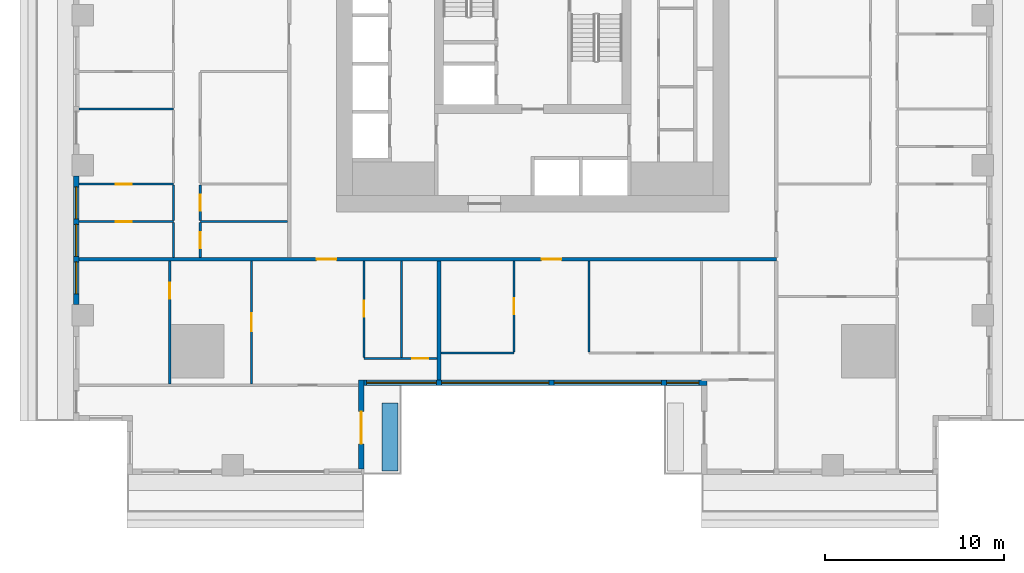
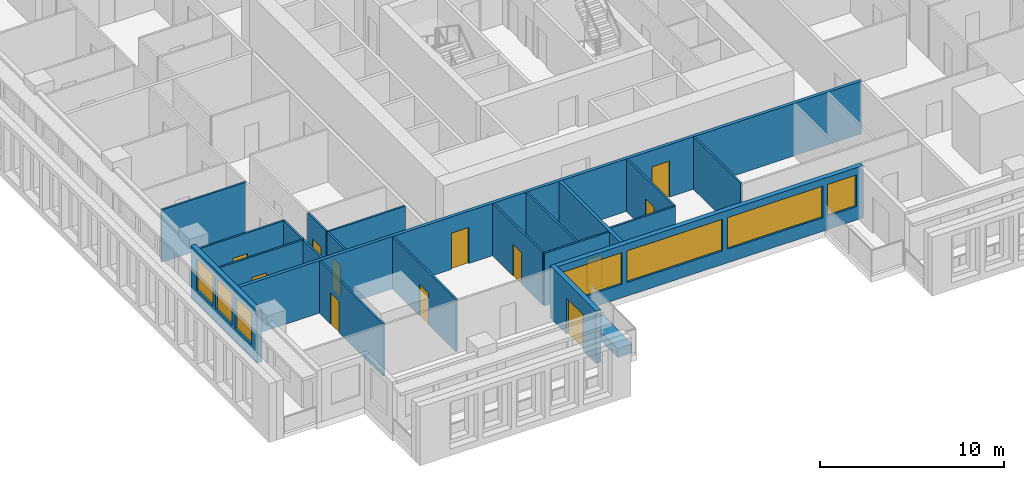
# One storey, part 2 of 15: 22 walls, 12 doors, 7 windows, 19 openings.
"""IFC4 building model written with IfcOpenShell, lengths in metres."""

import ifcopenshell
import ifcopenshell.guid

model = None  # the IFC model being written
_history = None  # IfcOwnerHistory: only IFC2X3 demands one
_inside = {}  # id of a spatial element -> (the spatial element, [elements in it])
_under = {}  # id of a project, library or spatial element -> (it, [spatial elements below it])
_declared = {}  # id of a project -> (the project, [libraries it declares])
_typed = {}  # id of a type object -> (the type object, [elements of that type])
_made_of = {}  # id of a material, layer set ... -> (it, [elements and type objects made of it])


def new_model(schema):
    """Start an empty IFC model of exactly this schema.

    Asked for "IFC4X3", IfcOpenShell would pick the latest addendum, in which some entities
    have other attributes; the version numbers below select the first issue.
    IFC2X3 requires an IfcOwnerHistory on every rooted entity: one is made here for all.
    """
    global model, _history
    if schema == "IFC4X3":
        model = ifcopenshell.file(schema_version=(4, 3, 0, 0))
    else:
        model = ifcopenshell.file(schema=schema)
    _inside.clear()
    _under.clear()
    _declared.clear()
    _typed.clear()
    _made_of.clear()
    _history = None
    if model.schema == "IFC2X3":
        org = make("IfcOrganization", Name="unknown")
        user = make(
            "IfcPersonAndOrganization",
            ThePerson=make("IfcPerson", FamilyName="unknown"),
            TheOrganization=org,
        )
        app = make(
            "IfcApplication",
            ApplicationDeveloper=org,
            Version="unknown",
            ApplicationFullName="unknown",
            ApplicationIdentifier="unknown",
        )
        _history = make(
            "IfcOwnerHistory",
            OwningUser=user,
            OwningApplication=app,
            ChangeAction="ADDED",
            CreationDate=0,
        )
    return model


def make(cls, **values):
    """One entity of the class cls with the attributes given. An attribute that is None is left unset."""
    return model.create_entity(
        cls, **{name: value for name, value in values.items() if value is not None}
    )


def rooted(cls, **values):
    """An entity with a GlobalId (a new one), such as an element, a storey or a relation."""
    return make(cls, GlobalId=ifcopenshell.guid.new(), OwnerHistory=_history, **values)


def si_unit(unit_type, name, prefix=None):
    """IfcSIUnit, for example si_unit("LENGTHUNIT", "METRE", prefix="MILLI")."""
    return make("IfcSIUnit", UnitType=unit_type, Prefix=prefix, Name=name)


def assignment(units):
    """IfcUnitAssignment: the units of a project."""
    return None if units is None else make("IfcUnitAssignment", Units=units)


def point(xyz):
    """IfcCartesianPoint."""
    return None if xyz is None else make("IfcCartesianPoint", Coordinates=xyz)


def direction(xyz):
    """IfcDirection."""
    return None if xyz is None else make("IfcDirection", DirectionRatios=xyz)


def frame(location, z_axis=None, x_axis=None):
    """IfcAxis2Placement3D, a coordinate frame: its origin and axes. An axis left out is left unset."""
    return make(
        "IfcAxis2Placement3D",
        Location=point(location),
        Axis=direction(z_axis),
        RefDirection=direction(x_axis),
    )


def frame_2d(location, x_axis=None):
    """IfcAxis2Placement2D, a coordinate frame in the plane: its origin and x axis."""
    return make(
        "IfcAxis2Placement2D", Location=point(location), RefDirection=direction(x_axis)
    )


def origin():
    """The frame at (0, 0, 0) with its axes left unset."""
    return frame((0.0, 0.0, 0.0))


def place(relative_to, where):
    """IfcLocalPlacement: puts the frame where relative to a parent placement (None: the world)."""
    return make(
        "IfcLocalPlacement", PlacementRelTo=relative_to, RelativePlacement=where
    )


def context(
    kind, dimensions, precision=None, world=None, true_north=None, identifier=None
):
    """IfcGeometricRepresentationContext, for example the 3D "Model" context."""
    return make(
        "IfcGeometricRepresentationContext",
        ContextIdentifier=identifier,
        ContextType=kind,
        CoordinateSpaceDimension=dimensions,
        Precision=precision,
        WorldCoordinateSystem=world,
        TrueNorth=true_north,
    )


def subcontext(parent, identifier, kind, view, scale=None):
    """IfcGeometricRepresentationSubContext, for example "Body" below "Model"."""
    return make(
        "IfcGeometricRepresentationSubContext",
        ContextIdentifier=identifier,
        ContextType=kind,
        ParentContext=parent,
        TargetScale=scale,
        TargetView=view,
    )


def project(units=None, contexts=None):
    """IfcProject with its units and contexts."""
    return rooted(
        "IfcProject",
        Name="project",
        RepresentationContexts=contexts,
        UnitsInContext=assignment(units),
    )


def spatial(cls, under=None, at=None, **own):
    """A site, building, storey or space (cls), placed at a placement, below another one or the project."""
    s = rooted(cls, ObjectPlacement=at, **own)
    if under is not None:
        _under.setdefault(under.id(), (under, []))[1].append(s)
    return s


def profile(cls, at=None, kind="AREA", **sizes):
    """A parametric profile (cls). Its sizes go by their IFC names, for example OverallWidth=200.0."""
    return make(cls, ProfileType=kind, Position=at, **sizes)


def rectangle(**sizes):
    """IfcRectangleProfileDef."""
    return profile("IfcRectangleProfileDef", **sizes)


def extrude(swept, where, along, depth):
    """IfcExtrudedAreaSolid: the profile swept, set in the frame where, extruded along a direction by depth."""
    return make(
        "IfcExtrudedAreaSolid",
        SweptArea=swept,
        Position=where,
        ExtrudedDirection=direction(along),
        Depth=depth,
    )


def shape(context_of_items, identifier, shape_type, items):
    """IfcShapeRepresentation: the items that make up one representation, for example the "Body"."""
    return make(
        "IfcShapeRepresentation",
        ContextOfItems=context_of_items,
        RepresentationIdentifier=identifier,
        RepresentationType=shape_type,
        Items=items,
    )


def material(Name=None, Category=None):
    """IfcMaterial."""
    return make("IfcMaterial", Name=Name, Category=Category)


def layer(
    of_material, thickness, ventilated=None, Name=None, Category=None, Priority=None
):
    """IfcMaterialLayer: one layer of a wall or slab, of a material (None: an air gap)."""
    return make(
        "IfcMaterialLayer",
        Material=of_material,
        LayerThickness=thickness,
        IsVentilated=ventilated,
        Name=Name,
        Category=Category,
        Priority=Priority,
    )


def layer_set(layers, Name=None):
    """IfcMaterialLayerSet."""
    return make("IfcMaterialLayerSet", MaterialLayers=layers, LayerSetName=Name)


def made_of(thing, what):
    """Note that an element or type object is made of a material, layer set ...; save() writes the relation."""
    if what is not None:
        _made_of.setdefault(what.id(), (what, []))[1].append(thing)
    return thing


def type_object(cls, material=None, **own):
    """A type object (cls), such as IfcWallType, which elements share."""
    return made_of(rooted(cls, **own), material)


def element(
    cls,
    number,
    at=None,
    inside=None,
    cuts=None,
    type_object=None,
    material=None,
    context=None,
    identifier="Body",
    shape_type=None,
    held_by="IfcProductDefinitionShape",
    body=None,
    shapes=None,
    **own,
):
    """One element of the class cls, such as IfcWall. Its Tag is "e" and its number.

    at: its placement. inside: the storey or other place that contains it. cuts: it is an
    opening in that element (IfcRelVoidsElement). A single representation is given by context,
    identifier, shape_type and body (its items); several are given by shapes. held_by: the class
    of the entity that holds the representations. save() writes the other relations.
    """
    e = rooted(cls, Tag="e%d" % number, ObjectPlacement=at, **own)
    if body is not None:
        shapes = [shape(context, identifier, shape_type, body)]
    if shapes is not None:
        e.Representation = make(held_by, Representations=shapes)
    if inside is not None:
        _inside.setdefault(inside.id(), (inside, []))[1].append(e)
    if cuts is not None:
        rooted(
            "IfcRelVoidsElement", RelatingBuildingElement=cuts, RelatedOpeningElement=e
        )
    if type_object is not None:
        _typed.setdefault(type_object.id(), (type_object, []))[1].append(e)
    return made_of(e, material)


def fill(opening, filler):
    """IfcRelFillsElement: the door or window that sits in an opening."""
    return rooted(
        "IfcRelFillsElement",
        RelatingOpeningElement=opening,
        RelatedBuildingElement=filler,
    )


def aggregate(whole, parts):
    """IfcRelAggregates: a whole, such as a stair, and the parts it consists of."""
    return rooted("IfcRelAggregates", RelatingObject=whole, RelatedObjects=parts)


def save(model, path):
    """Write the relations noted so far, then the file.

    IfcRelAggregates (storeys below a building ...), IfcRelContainedInSpatialStructure (elements
    in a storey), IfcRelDefinesByType, IfcRelAssociatesMaterial and IfcRelDeclares: one each for
    every whole, place, type object, material and project.
    """
    for whole, parts in _under.values():
        aggregate(whole, parts)
    for where, things in _inside.values():
        rooted(
            "IfcRelContainedInSpatialStructure",
            RelatedElements=things,
            RelatingStructure=where,
        )
    for kind, things in _typed.values():
        rooted("IfcRelDefinesByType", RelatedObjects=things, RelatingType=kind)
    for what, things in _made_of.values():
        rooted("IfcRelAssociatesMaterial", RelatedObjects=things, RelatingMaterial=what)
    for by, libraries in _declared.values():
        rooted("IfcRelDeclares", RelatingContext=by, RelatedDefinitions=libraries)
    model.write(path)


model = new_model("IFC4")

# Units and contexts
model_context = context("Model", 3, precision=1e-05, world=origin(), true_north=direction((0.0, 1.0)))
body_context = subcontext(model_context, "Body", "Model", "MODEL_VIEW")
ifc_project = project(units=[si_unit("LENGTHUNIT", "METRE"), si_unit("AREAUNIT", "SQUARE_METRE"), si_unit("VOLUMEUNIT", "CUBIC_METRE"), si_unit("PLANEANGLEUNIT", "RADIAN"), si_unit("MASSUNIT", "GRAM", prefix="KILO")], contexts=[model_context])

# Site, building, storey
site_placement = place(None, origin())
site = spatial("IfcSite", under=ifc_project, at=site_placement, CompositionType="ELEMENT")
building_placement = place(site_placement, origin())
building = spatial("IfcBuilding", under=site, at=building_placement, Name="Khepri Terraces", CompositionType="ELEMENT")
storey_placement = place(building_placement, frame((0.0, 0.0, 50.39990234375)))
storey = spatial("IfcBuildingStorey", under=building, at=storey_placement, Name="L11", CompositionType="ELEMENT", Elevation=50.39990234375)

# Wall
ifc_material_1 = material(Name="Fire-rated gypsum plasterboard partition, mineral wool")
ifc_layer_1 = layer(ifc_material_1, 0.199951171875, Name="Fire-rated gypsum plasterboard partition, mineral wool")
ifc_layer_set_1 = layer_set([ifc_layer_1], Name="Fire-rated gypsum plasterboard partition, mineral wool")
wall_type_1 = type_object("IfcWallType", Name="WL-CORR-200", PredefinedType="PARTITIONING", material=ifc_layer_set_1)
wall_1_placement = place(storey_placement, frame((-5.25, -20.419921875, 0.0), z_axis=(0.0, 0.0, 1.0), x_axis=(0.0, 1.0, 0.0)))
element("IfcWall", 1, at=wall_1_placement, inside=storey, type_object=wall_type_1, Name="Partition P-004 L11", PredefinedType="PARTITIONING", context=body_context, shape_type="SweptSolid", body=[
    extrude(rectangle(XDim=6.669921875, YDim=0.199951171875, at=frame_2d((3.3349609375, 0.0))), origin(), (0.0, 0.0, 1.0), 3.47998046875),
])

# Wall, openings, doors
wall_2_placement = place(storey_placement, frame((-25.419921875, -13.64990234375, 0.0), z_axis=(0.0, 0.0, 1.0), x_axis=(1.0, 0.0, 0.0)))
wall_2 = element("IfcWall", 2, at=wall_2_placement, inside=storey, type_object=wall_type_1, Name="Partition P-020 L11", PredefinedType="PARTITIONING", context=body_context, shape_type="SweptSolid", body=[
    extrude(rectangle(XDim=39.06982421875, YDim=0.199951171875, at=frame_2d((19.534912109375, 0.0))), origin(), (0.0, 0.0, 1.0), 3.47998046875),
])
opening_1_placement = place(wall_2_placement, frame((13.320068359375, 0.0, 0.0)))
opening_1 = element("IfcOpeningElement", 3, at=opening_1_placement, cuts=wall_2, Name="Opening D1", PredefinedType="OPENING", context=body_context, shape_type="SweptSolid", body=[
    extrude(rectangle(XDim=1.10009765625, YDim=2.39990234375, at=frame_2d((0.550048828125, 1.199951171875))), frame((0.0, 0.10986328125, 0.0), z_axis=(0.0, -1.0, 0.0), x_axis=(1.0, 0.0, 0.0)), (0.0, 0.0, 1.0), 0.219970703125),
])
opening_2_placement = place(wall_2_placement, frame((25.919921875, 0.0, 0.0)))
opening_2 = element("IfcOpeningElement", 4, at=opening_2_placement, cuts=wall_2, Name="Opening D1", PredefinedType="OPENING", context=body_context, shape_type="SweptSolid", body=[
    extrude(rectangle(XDim=1.10009765625, YDim=2.39990234375, at=frame_2d((0.550048828125, 1.199951171875))), frame((0.0, 0.10986328125, 0.0), z_axis=(0.0, -1.0, 0.0), x_axis=(1.0, 0.0, 0.0)), (0.0, 0.0, 1.0), 0.219970703125),
])
ifc_material_2 = material(Name="Solid-core timber door leaf, flat entrance door", Category="wood")
door_type_1 = type_object("IfcDoorType", Name="DR-ENT-1100", OperationType="NOTDEFINED", PredefinedType="DOOR", material=ifc_material_2)
door_1_placement = place(opening_1_placement, frame((1.10009765625, 0.0, 0.0), z_axis=(0.0, 0.0, 1.0), x_axis=(-1.0, 0.0, 0.0)))
door_1 = element("IfcDoor", 5, at=door_1_placement, inside=storey, type_object=door_type_1, Name="Flat A1 entrance door", OperationType="SINGLE_SWING_RIGHT", OverallHeight=2.39990234375, OverallWidth=1.10009765625, PredefinedType="DOOR", context=body_context, shape_type="SweptSolid", body=[
    extrude(rectangle(XDim=1.10009765625, YDim=2.39990234375, at=frame_2d((0.550048828125, 1.199951171875))), frame((0.0, 0.02490234375, 0.0), z_axis=(0.0, -1.0, 0.0), x_axis=(1.0, 0.0, 0.0)), (0.0, 0.0, 1.0), 0.050048828125),
])
fill(opening_1, door_1)
door_2_placement = place(opening_2_placement, frame((1.10009765625, 0.0, 0.0), z_axis=(0.0, 0.0, 1.0), x_axis=(-1.0, 0.0, 0.0)))
door_2 = element("IfcDoor", 6, at=door_2_placement, inside=storey, type_object=door_type_1, Name="Flat A2 entrance door", OperationType="SINGLE_SWING_LEFT", OverallHeight=2.39990234375, OverallWidth=1.10009765625, PredefinedType="DOOR", context=body_context, shape_type="SweptSolid", body=[
    extrude(rectangle(XDim=1.10009765625, YDim=2.39990234375, at=frame_2d((0.550048828125, 1.199951171875))), frame((0.0, 0.02490234375, 0.0), z_axis=(0.0, -1.0, 0.0), x_axis=(1.0, 0.0, 0.0)), (0.0, 0.0, 1.0), 0.050048828125),
])
fill(opening_2, door_2)

# Wall, openings, windows
ifc_material_3 = material(Name="Precast concrete C50/60 warm stone", Category="masonry")
ifc_layer_2 = layer(ifc_material_3, 0.300048828125, Name="Precast concrete C50/60 warm stone", Category="masonry")
ifc_layer_set_2 = layer_set([ifc_layer_2], Name="Precast concrete C50/60 warm stone")
wall_type_2 = type_object("IfcWallType", Name="WL-EXT-PRECAST-300", PredefinedType="STANDARD", material=ifc_layer_set_2)
wall_3_placement = place(storey_placement, frame((-25.570068359375, -9.0, 0.0), z_axis=(0.0, 0.0, 1.0), x_axis=(0.0, -1.0, 0.0)))
wall_3 = element("IfcWall", 7, at=wall_3_placement, inside=storey, type_object=wall_type_2, Name="External wall L11 W", PredefinedType="STANDARD", context=body_context, shape_type="SweptSolid", body=[
    extrude(rectangle(XDim=7.199951171875, YDim=0.300048828125, at=frame_2d((3.60009765625, 0.0))), origin(), (0.0, 0.0, 1.0), 3.47998046875),
])
opening_3_placement = place(wall_3_placement, frame((0.60009765625, 0.0, 0.89990234375)))
opening_3 = element("IfcOpeningElement", 8, at=opening_3_placement, cuts=wall_3, Name="Opening W1", PredefinedType="OPENING", context=body_context, shape_type="SweptSolid", body=[
    extrude(rectangle(XDim=1.800048828125, YDim=2.10009765625, at=frame_2d((0.89990234375, 1.050048828125))), frame((0.0, 0.16015625, 0.0), z_axis=(0.0, -1.0, 0.0), x_axis=(1.0, 0.0, 0.0)), (0.0, 0.0, 1.0), 0.320068359375),
])
opening_4_placement = place(wall_3_placement, frame((2.699951171875, 0.0, 0.89990234375)))
opening_4 = element("IfcOpeningElement", 9, at=opening_4_placement, cuts=wall_3, Name="Opening W1", PredefinedType="OPENING", context=body_context, shape_type="SweptSolid", body=[
    extrude(rectangle(XDim=1.800048828125, YDim=2.10009765625, at=frame_2d((0.89990234375, 1.050048828125))), frame((0.0, 0.16015625, 0.0), z_axis=(0.0, -1.0, 0.0), x_axis=(1.0, 0.0, 0.0)), (0.0, 0.0, 1.0), 0.320068359375),
])
opening_5_placement = place(wall_3_placement, frame((4.800048828125, 0.0, 0.89990234375)))
opening_5 = element("IfcOpeningElement", 10, at=opening_5_placement, cuts=wall_3, Name="Opening W1", PredefinedType="OPENING", context=body_context, shape_type="SweptSolid", body=[
    extrude(rectangle(XDim=1.800048828125, YDim=2.10009765625, at=frame_2d((0.89990234375, 1.050048828125))), frame((0.0, 0.16015625, 0.0), z_axis=(0.0, -1.0, 0.0), x_axis=(1.0, 0.0, 0.0)), (0.0, 0.0, 1.0), 0.320068359375),
])
ifc_material_4 = material(Name="Clear glass", Category="glass")
window_type_1 = type_object("IfcWindowType", Name="WIN-RES-1800x2100", PartitioningType="SINGLE_PANEL", PredefinedType="WINDOW", material=ifc_material_4)
window_1_placement = place(opening_3_placement, origin())
window_1 = element("IfcWindow", 11, at=window_1_placement, inside=storey, type_object=window_type_1, Name="Window L11 W", OverallHeight=2.10009765625, OverallWidth=1.800048828125, PartitioningType="SINGLE_PANEL", PredefinedType="WINDOW", context=body_context, shape_type="SweptSolid", body=[
    extrude(rectangle(XDim=1.800048828125, YDim=2.10009765625, at=frame_2d((0.89990234375, 1.050048828125))), frame((0.0, 0.030029296875, 0.0), z_axis=(0.0, -1.0, 0.0), x_axis=(1.0, 0.0, 0.0)), (0.0, 0.0, 1.0), 0.06005859375),
])
fill(opening_3, window_1)
window_2_placement = place(opening_4_placement, origin())
window_2 = element("IfcWindow", 12, at=window_2_placement, inside=storey, type_object=window_type_1, Name="Window L11 W", OverallHeight=2.10009765625, OverallWidth=1.800048828125, PartitioningType="SINGLE_PANEL", PredefinedType="WINDOW", context=body_context, shape_type="SweptSolid", body=[
    extrude(rectangle(XDim=1.800048828125, YDim=2.10009765625, at=frame_2d((0.89990234375, 1.050048828125))), frame((0.0, 0.030029296875, 0.0), z_axis=(0.0, -1.0, 0.0), x_axis=(1.0, 0.0, 0.0)), (0.0, 0.0, 1.0), 0.06005859375),
])
fill(opening_4, window_2)
window_3_placement = place(opening_5_placement, origin())
window_3 = element("IfcWindow", 13, at=window_3_placement, inside=storey, type_object=window_type_1, Name="Window L11 W", OverallHeight=2.10009765625, OverallWidth=1.800048828125, PartitioningType="SINGLE_PANEL", PredefinedType="WINDOW", context=body_context, shape_type="SweptSolid", body=[
    extrude(rectangle(XDim=1.800048828125, YDim=2.10009765625, at=frame_2d((0.89990234375, 1.050048828125))), frame((0.0, 0.030029296875, 0.0), z_axis=(0.0, -1.0, 0.0), x_axis=(1.0, 0.0, 0.0)), (0.0, 0.0, 1.0), 0.06005859375),
])
fill(opening_5, window_3)

# Wall, opening, door
wall_4_placement = place(storey_placement, frame((-9.60009765625, -25.419921875, 0.0), z_axis=(0.0, 0.0, 1.0), x_axis=(0.0, 1.0, 0.0)))
wall_4 = element("IfcWall", 14, at=wall_4_placement, inside=storey, type_object=wall_type_2, Name="External wall L11 E", PredefinedType="STANDARD", context=body_context, shape_type="SweptSolid", body=[
    extrude(rectangle(XDim=5.0, YDim=0.300048828125, at=frame_2d((2.5, 0.0))), origin(), (0.0, 0.0, 1.0), 3.47998046875),
])
opening_6_placement = place(wall_4_placement, frame((1.419921875, 0.0, 0.0)))
opening_6 = element("IfcOpeningElement", 15, at=opening_6_placement, cuts=wall_4, Name="Opening ED-L11-19", PredefinedType="OPENING", context=body_context, shape_type="SweptSolid", body=[
    extrude(rectangle(XDim=1.800048828125, YDim=2.39990234375, at=frame_2d((0.89990234375, 1.199951171875))), frame((0.0, 0.16015625, 0.0), z_axis=(0.0, -1.0, 0.0), x_axis=(1.0, 0.0, 0.0)), (0.0, 0.0, 1.0), 0.320068359375),
])
ifc_material_5 = material(Name="Anodised aluminium bronze glazed door", Category="aluminium")
door_type_2 = type_object("IfcDoorType", Name="DR-BAL-SLIDE-1800x2400", OperationType="NOTDEFINED", PredefinedType="DOOR", material=ifc_material_5)
door_3_placement = place(opening_6_placement, origin())
door_3 = element("IfcDoor", 16, at=door_3_placement, inside=storey, type_object=door_type_2, Name="Balcony door L11 E", OperationType="SLIDING_TO_LEFT", OverallHeight=2.39990234375, OverallWidth=1.800048828125, PredefinedType="DOOR", context=body_context, shape_type="SweptSolid", body=[
    extrude(rectangle(XDim=1.800048828125, YDim=2.39990234375, at=frame_2d((0.89990234375, 1.199951171875))), frame((0.0, 0.02490234375, 0.0), z_axis=(0.0, -1.0, 0.0), x_axis=(1.0, 0.0, 0.0)), (0.0, 0.0, 1.0), 0.050048828125),
])
fill(opening_6, door_3)

# Wall, openings, windows
wall_5_placement = place(storey_placement, frame((-9.449951171875, -20.570068359375, 0.0), z_axis=(0.0, 0.0, 1.0), x_axis=(1.0, 0.0, 0.0)))
wall_5 = element("IfcWall", 17, at=wall_5_placement, inside=storey, type_object=wall_type_2, Name="External wall L11 S", PredefinedType="STANDARD", context=body_context, shape_type="SweptSolid", body=[
    extrude(rectangle(XDim=19.199951171875, YDim=0.300048828125, at=frame_2d((9.60009765625, 0.0))), origin(), (0.0, 0.0, 1.0), 3.47998046875),
])
opening_7_placement = place(wall_5_placement, frame((0.14990234375, 0.0, 0.89990234375)))
opening_7 = element("IfcOpeningElement", 18, at=opening_7_placement, cuts=wall_5, Name="Opening W2", PredefinedType="OPENING", context=body_context, shape_type="SweptSolid", body=[
    extrude(rectangle(XDim=3.89990234375, YDim=2.10009765625, at=frame_2d((1.949951171875, 1.050048828125))), frame((0.0, 0.16015625, 0.0), z_axis=(0.0, -1.0, 0.0), x_axis=(1.0, 0.0, 0.0)), (0.0, 0.0, 1.0), 0.320068359375),
])
opening_8_placement = place(wall_5_placement, frame((4.35009765625, 0.0, 0.89990234375)))
opening_8 = element("IfcOpeningElement", 19, at=opening_8_placement, cuts=wall_5, Name="Opening W3", PredefinedType="OPENING", context=body_context, shape_type="SweptSolid", body=[
    extrude(rectangle(XDim=6.0, YDim=2.10009765625, at=frame_2d((3.0, 1.050048828125))), frame((0.0, 0.16015625, 0.0), z_axis=(0.0, -1.0, 0.0), x_axis=(1.0, 0.0, 0.0)), (0.0, 0.0, 1.0), 0.320068359375),
])
opening_9_placement = place(wall_5_placement, frame((10.64990234375, 0.0, 0.89990234375)))
opening_9 = element("IfcOpeningElement", 20, at=opening_9_placement, cuts=wall_5, Name="Opening W3", PredefinedType="OPENING", context=body_context, shape_type="SweptSolid", body=[
    extrude(rectangle(XDim=6.0, YDim=2.10009765625, at=frame_2d((3.0, 1.050048828125))), frame((0.0, 0.16015625, 0.0), z_axis=(0.0, -1.0, 0.0), x_axis=(1.0, 0.0, 0.0)), (0.0, 0.0, 1.0), 0.320068359375),
])
opening_10_placement = place(wall_5_placement, frame((16.949951171875, 0.0, 0.89990234375)))
opening_10 = element("IfcOpeningElement", 21, at=opening_10_placement, cuts=wall_5, Name="Opening W1", PredefinedType="OPENING", context=body_context, shape_type="SweptSolid", body=[
    extrude(rectangle(XDim=1.800048828125, YDim=2.10009765625, at=frame_2d((0.89990234375, 1.050048828125))), frame((0.0, 0.16015625, 0.0), z_axis=(0.0, -1.0, 0.0), x_axis=(1.0, 0.0, 0.0)), (0.0, 0.0, 1.0), 0.320068359375),
])
window_4_placement = place(opening_10_placement, origin())
window_4 = element("IfcWindow", 22, at=window_4_placement, inside=storey, type_object=window_type_1, Name="Window L11 S", OverallHeight=2.10009765625, OverallWidth=1.800048828125, PartitioningType="SINGLE_PANEL", PredefinedType="WINDOW", context=body_context, shape_type="SweptSolid", body=[
    extrude(rectangle(XDim=1.800048828125, YDim=2.10009765625, at=frame_2d((0.89990234375, 1.050048828125))), frame((0.0, 0.030029296875, 0.0), z_axis=(0.0, -1.0, 0.0), x_axis=(1.0, 0.0, 0.0)), (0.0, 0.0, 1.0), 0.06005859375),
])
fill(opening_10, window_4)
window_type_2 = type_object("IfcWindowType", Name="WIN-RES-3900x2100", PartitioningType="SINGLE_PANEL", PredefinedType="WINDOW", material=ifc_material_4)
window_5_placement = place(opening_7_placement, origin())
window_5 = element("IfcWindow", 23, at=window_5_placement, inside=storey, type_object=window_type_2, Name="Window L11 S", OverallHeight=2.10009765625, OverallWidth=3.89990234375, PartitioningType="SINGLE_PANEL", PredefinedType="WINDOW", context=body_context, shape_type="SweptSolid", body=[
    extrude(rectangle(XDim=3.89990234375, YDim=2.10009765625, at=frame_2d((1.949951171875, 1.050048828125))), frame((0.0, 0.030029296875, 0.0), z_axis=(0.0, -1.0, 0.0), x_axis=(1.0, 0.0, 0.0)), (0.0, 0.0, 1.0), 0.06005859375),
])
fill(opening_7, window_5)
window_type_3 = type_object("IfcWindowType", Name="WIN-RES-6000x2100", PartitioningType="SINGLE_PANEL", PredefinedType="WINDOW", material=ifc_material_4)
window_6_placement = place(opening_8_placement, origin())
window_6 = element("IfcWindow", 24, at=window_6_placement, inside=storey, type_object=window_type_3, Name="Window L11 S", OverallHeight=2.10009765625, OverallWidth=6.0, PartitioningType="SINGLE_PANEL", PredefinedType="WINDOW", context=body_context, shape_type="SweptSolid", body=[
    extrude(rectangle(XDim=6.0, YDim=2.10009765625, at=frame_2d((3.0, 1.050048828125))), frame((0.0, 0.030029296875, 0.0), z_axis=(0.0, -1.0, 0.0), x_axis=(1.0, 0.0, 0.0)), (0.0, 0.0, 1.0), 0.06005859375),
])
fill(opening_8, window_6)
window_7_placement = place(opening_9_placement, origin())
window_7 = element("IfcWindow", 25, at=window_7_placement, inside=storey, type_object=window_type_3, Name="Window L11 S", OverallHeight=2.10009765625, OverallWidth=6.0, PartitioningType="SINGLE_PANEL", PredefinedType="WINDOW", context=body_context, shape_type="SweptSolid", body=[
    extrude(rectangle(XDim=6.0, YDim=2.10009765625, at=frame_2d((3.0, 1.050048828125))), frame((0.0, 0.030029296875, 0.0), z_axis=(0.0, -1.0, 0.0), x_axis=(1.0, 0.0, 0.0)), (0.0, 0.0, 1.0), 0.06005859375),
])
fill(opening_9, window_7)

# Wall, opening, door
ifc_material_6 = material(Name="Gypsum plasterboard partition")
ifc_layer_3 = layer(ifc_material_6, 0.1201171875, Name="Gypsum plasterboard partition")
ifc_layer_set_3 = layer_set([ifc_layer_3], Name="Gypsum plasterboard partition")
wall_type_3 = type_object("IfcWallType", Name="WL-PART-120", PredefinedType="PARTITIONING", material=ifc_layer_set_3)
wall_6_placement = place(storey_placement, frame((-20.333984375, -20.659912109375, 0.0), z_axis=(0.0, 0.0, 1.0), x_axis=(0.0, 1.0, 0.0)))
wall_6 = element("IfcWall", 26, at=wall_6_placement, inside=storey, type_object=wall_type_3, Name="Partition P-006 L11", PredefinedType="PARTITIONING", context=body_context, shape_type="SweptSolid", body=[
    extrude(rectangle(XDim=6.909912109375, YDim=0.1201171875, at=frame_2d((3.455078125, 0.0))), origin(), (0.0, 0.0, 1.0), 3.47998046875),
])
opening_11_placement = place(wall_6_placement, frame((4.79248046875, 0.0, 0.0)))
opening_11 = element("IfcOpeningElement", 27, at=opening_11_placement, cuts=wall_6, Name="Opening D3", PredefinedType="OPENING", context=body_context, shape_type="SweptSolid", body=[
    extrude(rectangle(XDim=0.89990234375, YDim=2.10009765625, at=frame_2d((0.449951171875, 1.050048828125))), frame((0.0, 0.070068359375, 0.0), z_axis=(0.0, -1.0, 0.0), x_axis=(1.0, 0.0, 0.0)), (0.0, 0.0, 1.0), 0.14013671875),
])
ifc_material_7 = material(Name="Timber door leaf", Category="wood")
door_type_3 = type_object("IfcDoorType", Name="DR-INT-900", OperationType="NOTDEFINED", PredefinedType="DOOR", material=ifc_material_7)
door_4_placement = place(opening_11_placement, origin())
door_4 = element("IfcDoor", 28, at=door_4_placement, inside=storey, type_object=door_type_3, Name="Door Staff Bedroom", OperationType="SINGLE_SWING_RIGHT", OverallHeight=2.10009765625, OverallWidth=0.89990234375, PredefinedType="DOOR", context=body_context, shape_type="SweptSolid", body=[
    extrude(rectangle(XDim=0.89990234375, YDim=2.10009765625, at=frame_2d((0.449951171875, 1.050048828125))), frame((0.0, 0.02490234375, 0.0), z_axis=(0.0, -1.0, 0.0), x_axis=(1.0, 0.0, 0.0)), (0.0, 0.0, 1.0), 0.050048828125),
])
fill(opening_11, door_4)

wall_7_placement = place(storey_placement, frame((-15.75, -20.659912109375, 0.0), z_axis=(0.0, 0.0, 1.0), x_axis=(0.0, 1.0, 0.0)))
wall_7 = element("IfcWall", 29, at=wall_7_placement, inside=storey, type_object=wall_type_3, Name="Partition P-007 L11", PredefinedType="PARTITIONING", context=body_context, shape_type="SweptSolid", body=[
    extrude(rectangle(XDim=6.909912109375, YDim=0.1201171875, at=frame_2d((3.455078125, 0.0))), origin(), (0.0, 0.0, 1.0), 3.47998046875),
])
opening_12_placement = place(wall_7_placement, frame((2.97509765625, 0.0, 0.0)))
opening_12 = element("IfcOpeningElement", 30, at=opening_12_placement, cuts=wall_7, Name="Opening D2", PredefinedType="OPENING", context=body_context, shape_type="SweptSolid", body=[
    extrude(rectangle(XDim=1.0, YDim=2.10009765625, at=frame_2d((0.5, 1.050048828125))), frame((0.0, 0.070068359375, 0.0), z_axis=(0.0, -1.0, 0.0), x_axis=(1.0, 0.0, 0.0)), (0.0, 0.0, 1.0), 0.14013671875),
])
ifc_material_8 = material(Name="Timber door leaf, living room door", Category="wood")
door_type_4 = type_object("IfcDoorType", Name="DR-INT-1000", OperationType="NOTDEFINED", PredefinedType="DOOR", material=ifc_material_8)
door_5_placement = place(opening_12_placement, origin())
door_5 = element("IfcDoor", 31, at=door_5_placement, inside=storey, type_object=door_type_4, Name="Door Family Room", OperationType="SINGLE_SWING_RIGHT", OverallHeight=2.10009765625, OverallWidth=1.0, PredefinedType="DOOR", context=body_context, shape_type="SweptSolid", body=[
    extrude(rectangle(XDim=1.0, YDim=2.10009765625, at=frame_2d((0.5, 1.050048828125))), frame((0.0, 0.02490234375, 0.0), z_axis=(0.0, -1.0, 0.0), x_axis=(1.0, 0.0, 0.0)), (0.0, 0.0, 1.0), 0.050048828125),
])
fill(opening_12, door_5)

wall_8_placement = place(storey_placement, frame((-9.449951171875, -19.219970703125, 0.0), z_axis=(0.0, 0.0, 1.0), x_axis=(1.0, 0.0, 0.0)))
wall_8 = element("IfcWall", 32, at=wall_8_placement, inside=storey, type_object=wall_type_3, Name="Partition P-009 L11", PredefinedType="PARTITIONING", context=body_context, shape_type="SweptSolid", body=[
    extrude(rectangle(XDim=4.099853515625, YDim=0.1201171875, at=frame_2d((2.0498046875, 0.0))), origin(), (0.0, 0.0, 1.0), 3.47998046875),
])
opening_13_placement = place(wall_8_placement, frame((2.699951171875, 0.0, 0.0)))
opening_13 = element("IfcOpeningElement", 33, at=opening_13_placement, cuts=wall_8, Name="Opening D3", PredefinedType="OPENING", context=body_context, shape_type="SweptSolid", body=[
    extrude(rectangle(XDim=0.89990234375, YDim=2.10009765625, at=frame_2d((0.449951171875, 1.050048828125))), frame((0.0, 0.070068359375, 0.0), z_axis=(0.0, -1.0, 0.0), x_axis=(1.0, 0.0, 0.0)), (0.0, 0.0, 1.0), 0.14013671875),
])
door_6_placement = place(opening_13_placement, origin())
door_6 = element("IfcDoor", 34, at=door_6_placement, inside=storey, type_object=door_type_3, Name="Door Kitchen", OperationType="SINGLE_SWING_RIGHT", OverallHeight=2.10009765625, OverallWidth=0.89990234375, PredefinedType="DOOR", context=body_context, shape_type="SweptSolid", body=[
    extrude(rectangle(XDim=0.89990234375, YDim=2.10009765625, at=frame_2d((0.449951171875, 1.050048828125))), frame((0.0, 0.02490234375, 0.0), z_axis=(0.0, -1.0, 0.0), x_axis=(1.0, 0.0, 0.0)), (0.0, 0.0, 1.0), 0.050048828125),
])
fill(opening_13, door_6)

wall_9_placement = place(storey_placement, frame((-9.449951171875, -19.159912109375, 0.0), z_axis=(0.0, 0.0, 1.0), x_axis=(0.0, 1.0, 0.0)))
wall_9 = element("IfcWall", 35, at=wall_9_placement, inside=storey, type_object=wall_type_3, Name="Partition P-010 L11", PredefinedType="PARTITIONING", context=body_context, shape_type="SweptSolid", body=[
    extrude(rectangle(XDim=5.409912109375, YDim=0.1201171875, at=frame_2d((2.705078125, 0.0))), origin(), (0.0, 0.0, 1.0), 3.47998046875),
])
opening_14_placement = place(wall_9_placement, frame((2.27490234375, 0.0, 0.0)))
opening_14 = element("IfcOpeningElement", 36, at=opening_14_placement, cuts=wall_9, Name="Opening D4", PredefinedType="OPENING", context=body_context, shape_type="SweptSolid", body=[
    extrude(rectangle(XDim=0.89990234375, YDim=2.10009765625, at=frame_2d((0.449951171875, 1.050048828125))), frame((0.0, 0.070068359375, 0.0), z_axis=(0.0, -1.0, 0.0), x_axis=(1.0, 0.0, 0.0)), (0.0, 0.0, 1.0), 0.14013671875),
])
ifc_material_9 = material(Name="Timber door leaf, moisture resistant", Category="wood")
door_type_5 = type_object("IfcDoorType", Name="DR-WET-900", OperationType="NOTDEFINED", PredefinedType="DOOR", material=ifc_material_9)
door_7_placement = place(opening_14_placement, frame((0.89990234375, 0.0, 0.0), z_axis=(0.0, 0.0, 1.0), x_axis=(-1.0, 0.0, 0.0)))
door_7 = element("IfcDoor", 37, at=door_7_placement, inside=storey, type_object=door_type_5, Name="Door Guest Bathroom", OperationType="SINGLE_SWING_LEFT", OverallHeight=2.10009765625, OverallWidth=0.89990234375, PredefinedType="DOOR", context=body_context, shape_type="SweptSolid", body=[
    extrude(rectangle(XDim=0.89990234375, YDim=2.10009765625, at=frame_2d((0.449951171875, 1.050048828125))), frame((0.0, 0.02490234375, 0.0), z_axis=(0.0, -1.0, 0.0), x_axis=(1.0, 0.0, 0.0)), (0.0, 0.0, 1.0), 0.050048828125),
])
fill(opening_14, door_7)

# Walls
wall_10_placement = place(storey_placement, frame((-7.35009765625, -19.159912109375, 0.0), z_axis=(0.0, 0.0, 1.0), x_axis=(0.0, 1.0, 0.0)))
element("IfcWall", 38, at=wall_10_placement, inside=storey, type_object=wall_type_3, Name="Partition P-011 L11", PredefinedType="PARTITIONING", context=body_context, shape_type="SweptSolid", body=[
    extrude(rectangle(XDim=5.409912109375, YDim=0.1201171875, at=frame_2d((2.705078125, 0.0))), origin(), (0.0, 0.0, 1.0), 3.47998046875),
])
wall_11_placement = place(storey_placement, frame((-5.14990234375, -18.919921875, 0.0), z_axis=(0.0, 0.0, 1.0), x_axis=(1.0, 0.0, 0.0)))
element("IfcWall", 39, at=wall_11_placement, inside=storey, type_object=wall_type_3, Name="Partition P-012 L11", PredefinedType="PARTITIONING", context=body_context, shape_type="SweptSolid", body=[
    extrude(rectangle(XDim=4.099853515625, YDim=0.1201171875, at=frame_2d((2.0498046875, 0.0))), origin(), (0.0, 0.0, 1.0), 3.47998046875),
])

# Wall, opening, door
wall_12_placement = place(storey_placement, frame((-1.050048828125, -18.860107421875, 0.0), z_axis=(0.0, 0.0, 1.0), x_axis=(0.0, 1.0, 0.0)))
wall_12 = element("IfcWall", 40, at=wall_12_placement, inside=storey, type_object=wall_type_3, Name="Partition P-014 L11", PredefinedType="PARTITIONING", context=body_context, shape_type="SweptSolid", body=[
    extrude(rectangle(XDim=5.110107421875, YDim=0.1201171875, at=frame_2d((2.55517578125, 0.0))), origin(), (0.0, 0.0, 1.0), 3.47998046875),
])
opening_15_placement = place(wall_12_placement, frame((2.125, 0.0, 0.0)))
opening_15 = element("IfcOpeningElement", 41, at=opening_15_placement, cuts=wall_12, Name="Opening D3", PredefinedType="OPENING", context=body_context, shape_type="SweptSolid", body=[
    extrude(rectangle(XDim=0.89990234375, YDim=2.10009765625, at=frame_2d((0.449951171875, 1.050048828125))), frame((0.0, 0.070068359375, 0.0), z_axis=(0.0, -1.0, 0.0), x_axis=(1.0, 0.0, 0.0)), (0.0, 0.0, 1.0), 0.14013671875),
])
door_8_placement = place(opening_15_placement, origin())
door_8 = element("IfcDoor", 42, at=door_8_placement, inside=storey, type_object=door_type_3, Name="Door Staff Bedroom", OperationType="SINGLE_SWING_RIGHT", OverallHeight=2.10009765625, OverallWidth=0.89990234375, PredefinedType="DOOR", context=body_context, shape_type="SweptSolid", body=[
    extrude(rectangle(XDim=0.89990234375, YDim=2.10009765625, at=frame_2d((0.449951171875, 1.050048828125))), frame((0.0, 0.02490234375, 0.0), z_axis=(0.0, -1.0, 0.0), x_axis=(1.0, 0.0, 0.0)), (0.0, 0.0, 1.0), 0.050048828125),
])
fill(opening_15, door_8)

# Walls
wall_13_placement = place(storey_placement, frame((3.14990234375, -18.860107421875, 0.0), z_axis=(0.0, 0.0, 1.0), x_axis=(0.0, 1.0, 0.0)))
element("IfcWall", 43, at=wall_13_placement, inside=storey, type_object=wall_type_3, Name="Partition P-015 L11", PredefinedType="PARTITIONING", context=body_context, shape_type="SweptSolid", body=[
    extrude(rectangle(XDim=5.110107421875, YDim=0.1201171875, at=frame_2d((2.55517578125, 0.0))), origin(), (0.0, 0.0, 1.0), 3.47998046875),
])
wall_14_placement = place(storey_placement, frame((-20.1201171875, -13.550048828125, 0.0), z_axis=(0.0, 0.0, 1.0), x_axis=(0.0, 1.0, 0.0)))
element("IfcWall", 44, at=wall_14_placement, inside=storey, type_object=wall_type_3, Name="Partition P-023 L11", PredefinedType="PARTITIONING", context=body_context, shape_type="SweptSolid", body=[
    extrude(rectangle(XDim=1.93994140625, YDim=0.1201171875, at=frame_2d((0.969970703125, 0.0))), origin(), (0.0, 0.0, 1.0), 3.47998046875),
])

# Wall, opening, door
wall_15_placement = place(storey_placement, frame((-18.6201171875, -13.550048828125, 0.0), z_axis=(0.0, 0.0, 1.0), x_axis=(0.0, 1.0, 0.0)))
wall_15 = element("IfcWall", 45, at=wall_15_placement, inside=storey, type_object=wall_type_3, Name="Partition P-024 L11", PredefinedType="PARTITIONING", context=body_context, shape_type="SweptSolid", body=[
    extrude(rectangle(XDim=1.93994140625, YDim=0.1201171875, at=frame_2d((0.969970703125, 0.0))), origin(), (0.0, 0.0, 1.0), 3.47998046875),
])
opening_16_placement = place(wall_15_placement, frame((0.5, 0.0, 0.0)))
opening_16 = element("IfcOpeningElement", 46, at=opening_16_placement, cuts=wall_15, Name="Opening D4", PredefinedType="OPENING", context=body_context, shape_type="SweptSolid", body=[
    extrude(rectangle(XDim=0.89990234375, YDim=2.10009765625, at=frame_2d((0.449951171875, 1.050048828125))), frame((0.0, 0.070068359375, 0.0), z_axis=(0.0, -1.0, 0.0), x_axis=(1.0, 0.0, 0.0)), (0.0, 0.0, 1.0), 0.14013671875),
])
door_9_placement = place(opening_16_placement, frame((0.89990234375, 0.0, 0.0), z_axis=(0.0, 0.0, 1.0), x_axis=(-1.0, 0.0, 0.0)))
door_9 = element("IfcDoor", 47, at=door_9_placement, inside=storey, type_object=door_type_5, Name="Door Guest Bathroom", OperationType="SINGLE_SWING_RIGHT", OverallHeight=2.10009765625, OverallWidth=0.89990234375, PredefinedType="DOOR", context=body_context, shape_type="SweptSolid", body=[
    extrude(rectangle(XDim=0.89990234375, YDim=2.10009765625, at=frame_2d((0.449951171875, 1.050048828125))), frame((0.0, 0.02490234375, 0.0), z_axis=(0.0, -1.0, 0.0), x_axis=(1.0, 0.0, 0.0)), (0.0, 0.0, 1.0), 0.050048828125),
])
fill(opening_16, door_9)

wall_16_placement = place(storey_placement, frame((-25.419921875, -11.550048828125, 0.0), z_axis=(0.0, 0.0, 1.0), x_axis=(1.0, 0.0, 0.0)))
wall_16 = element("IfcWall", 48, at=wall_16_placement, inside=storey, type_object=wall_type_3, Name="Partition P-027 L11", PredefinedType="PARTITIONING", context=body_context, shape_type="SweptSolid", body=[
    extrude(rectangle(XDim=5.2998046875, YDim=0.1201171875, at=frame_2d((2.64990234375, 0.0))), origin(), (0.0, 0.0, 1.0), 3.47998046875),
])
opening_17_placement = place(wall_16_placement, frame((2.050048828125, 0.0, 0.0)))
opening_17 = element("IfcOpeningElement", 49, at=opening_17_placement, cuts=wall_16, Name="Opening D4", PredefinedType="OPENING", context=body_context, shape_type="SweptSolid", body=[
    extrude(rectangle(XDim=0.89990234375, YDim=2.10009765625, at=frame_2d((0.449951171875, 1.050048828125))), frame((0.0, 0.070068359375, 0.0), z_axis=(0.0, -1.0, 0.0), x_axis=(1.0, 0.0, 0.0)), (0.0, 0.0, 1.0), 0.14013671875),
])
door_10_placement = place(opening_17_placement, frame((0.89990234375, 0.0, 0.0), z_axis=(0.0, 0.0, 1.0), x_axis=(-1.0, 0.0, 0.0)))
door_10 = element("IfcDoor", 50, at=door_10_placement, inside=storey, type_object=door_type_5, Name="Door Bathroom", OperationType="SINGLE_SWING_RIGHT", OverallHeight=2.10009765625, OverallWidth=0.89990234375, PredefinedType="DOOR", context=body_context, shape_type="SweptSolid", body=[
    extrude(rectangle(XDim=0.89990234375, YDim=2.10009765625, at=frame_2d((0.449951171875, 1.050048828125))), frame((0.0, 0.02490234375, 0.0), z_axis=(0.0, -1.0, 0.0), x_axis=(1.0, 0.0, 0.0)), (0.0, 0.0, 1.0), 0.050048828125),
])
fill(opening_17, door_10)

# Walls
wall_17_placement = place(storey_placement, frame((-18.6201171875, -11.550048828125, 0.0), z_axis=(0.0, 0.0, 1.0), x_axis=(1.0, 0.0, 0.0)))
element("IfcWall", 51, at=wall_17_placement, inside=storey, type_object=wall_type_3, Name="Partition P-028 L11", PredefinedType="PARTITIONING", context=body_context, shape_type="SweptSolid", body=[
    extrude(rectangle(XDim=4.8701171875, YDim=0.1201171875, at=frame_2d((2.43505859375, 0.0))), origin(), (0.0, 0.0, 1.0), 3.47998046875),
])
wall_18_placement = place(storey_placement, frame((-20.1201171875, -11.489990234375, 0.0), z_axis=(0.0, 0.0, 1.0), x_axis=(0.0, 1.0, 0.0)))
element("IfcWall", 52, at=wall_18_placement, inside=storey, type_object=wall_type_3, Name="Partition P-029 L11", PredefinedType="PARTITIONING", context=body_context, shape_type="SweptSolid", body=[
    extrude(rectangle(XDim=1.97998046875, YDim=0.1201171875, at=frame_2d((0.989990234375, 0.0))), origin(), (0.0, 0.0, 1.0), 3.47998046875),
])

# Wall, opening, door
wall_19_placement = place(storey_placement, frame((-18.6201171875, -11.489990234375, 0.0), z_axis=(0.0, 0.0, 1.0), x_axis=(0.0, 1.0, 0.0)))
wall_19 = element("IfcWall", 53, at=wall_19_placement, inside=storey, type_object=wall_type_3, Name="Partition P-030 L11", PredefinedType="PARTITIONING", context=body_context, shape_type="SweptSolid", body=[
    extrude(rectangle(XDim=1.97998046875, YDim=0.1201171875, at=frame_2d((0.989990234375, 0.0))), origin(), (0.0, 0.0, 1.0), 3.47998046875),
])
opening_18_placement = place(wall_19_placement, frame((0.5400390625, 0.0, 0.0)))
opening_18 = element("IfcOpeningElement", 54, at=opening_18_placement, cuts=wall_19, Name="Opening D4", PredefinedType="OPENING", context=body_context, shape_type="SweptSolid", body=[
    extrude(rectangle(XDim=0.89990234375, YDim=2.10009765625, at=frame_2d((0.449951171875, 1.050048828125))), frame((0.0, 0.070068359375, 0.0), z_axis=(0.0, -1.0, 0.0), x_axis=(1.0, 0.0, 0.0)), (0.0, 0.0, 1.0), 0.14013671875),
])
door_11_placement = place(opening_18_placement, frame((0.89990234375, 0.0, 0.0), z_axis=(0.0, 0.0, 1.0), x_axis=(-1.0, 0.0, 0.0)))
door_11 = element("IfcDoor", 55, at=door_11_placement, inside=storey, type_object=door_type_5, Name="Door Powder Room", OperationType="SINGLE_SWING_LEFT", OverallHeight=2.10009765625, OverallWidth=0.89990234375, PredefinedType="DOOR", context=body_context, shape_type="SweptSolid", body=[
    extrude(rectangle(XDim=0.89990234375, YDim=2.10009765625, at=frame_2d((0.449951171875, 1.050048828125))), frame((0.0, 0.02490234375, 0.0), z_axis=(0.0, -1.0, 0.0), x_axis=(1.0, 0.0, 0.0)), (0.0, 0.0, 1.0), 0.050048828125),
])
fill(opening_18, door_11)

wall_20_placement = place(storey_placement, frame((-25.419921875, -9.449951171875, 0.0), z_axis=(0.0, 0.0, 1.0), x_axis=(1.0, 0.0, 0.0)))
wall_20 = element("IfcWall", 56, at=wall_20_placement, inside=storey, type_object=wall_type_3, Name="Partition P-031 L11", PredefinedType="PARTITIONING", context=body_context, shape_type="SweptSolid", body=[
    extrude(rectangle(XDim=5.2998046875, YDim=0.1201171875, at=frame_2d((2.64990234375, 0.0))), origin(), (0.0, 0.0, 1.0), 3.47998046875),
])
opening_19_placement = place(wall_20_placement, frame((2.050048828125, 0.0, 0.0)))
opening_19 = element("IfcOpeningElement", 57, at=opening_19_placement, cuts=wall_20, Name="Opening D3", PredefinedType="OPENING", context=body_context, shape_type="SweptSolid", body=[
    extrude(rectangle(XDim=0.89990234375, YDim=2.10009765625, at=frame_2d((0.449951171875, 1.050048828125))), frame((0.0, 0.070068359375, 0.0), z_axis=(0.0, -1.0, 0.0), x_axis=(1.0, 0.0, 0.0)), (0.0, 0.0, 1.0), 0.14013671875),
])
door_12_placement = place(opening_19_placement, frame((0.89990234375, 0.0, 0.0), z_axis=(0.0, 0.0, 1.0), x_axis=(-1.0, 0.0, 0.0)))
door_12 = element("IfcDoor", 58, at=door_12_placement, inside=storey, type_object=door_type_3, Name="Door Dressing Room", OperationType="SINGLE_SWING_RIGHT", OverallHeight=2.10009765625, OverallWidth=0.89990234375, PredefinedType="DOOR", context=body_context, shape_type="SweptSolid", body=[
    extrude(rectangle(XDim=0.89990234375, YDim=2.10009765625, at=frame_2d((0.449951171875, 1.050048828125))), frame((0.0, 0.02490234375, 0.0), z_axis=(0.0, -1.0, 0.0), x_axis=(1.0, 0.0, 0.0)), (0.0, 0.0, 1.0), 0.050048828125),
])
fill(opening_19, door_12)

# Walls
wall_21_placement = place(storey_placement, frame((-25.419921875, -5.25, 0.0), z_axis=(0.0, 0.0, 1.0), x_axis=(1.0, 0.0, 0.0)))
element("IfcWall", 59, at=wall_21_placement, inside=storey, type_object=wall_type_3, Name="Partition P-041 L11", PredefinedType="PARTITIONING", context=body_context, shape_type="SweptSolid", body=[
    extrude(rectangle(XDim=5.2998046875, YDim=0.1201171875, at=frame_2d((2.64990234375, 0.0))), origin(), (0.0, 0.0, 1.0), 3.47998046875),
])
ifc_layer_4 = layer(ifc_material_3, 0.89990234375, Name="Precast concrete C50/60 warm stone", Category="masonry")
ifc_layer_set_4 = layer_set([ifc_layer_4], Name="Precast concrete C50/60 warm stone")
wall_type_4 = type_object("IfcWallType", Name="WL-PLANTER-900", PredefinedType="MOVABLE", material=ifc_layer_set_4)
wall_22_placement = place(storey_placement, frame((-8.0, -25.52001953125, 0.0), z_axis=(0.0, 0.0, 1.0), x_axis=(0.0, 1.0, 0.0)))
element("IfcWall", 60, at=wall_22_placement, inside=storey, type_object=wall_type_4, Name="Planter L11", PredefinedType="MOVABLE", context=body_context, shape_type="SweptSolid", body=[
    extrude(rectangle(XDim=3.800048828125, YDim=0.89990234375, at=frame_2d((1.89990234375, 0.0))), origin(), (0.0, 0.0, 1.0), 0.60009765625),
])

save(model, "model.ifc")
